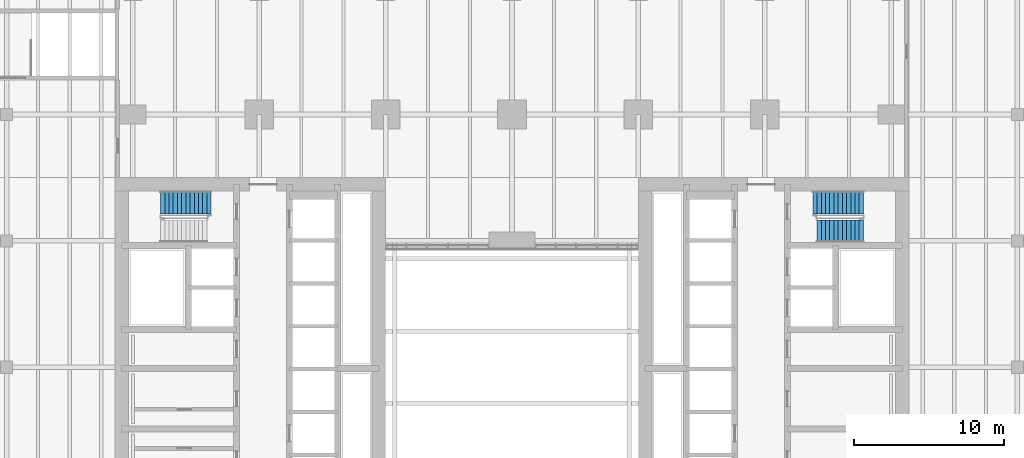
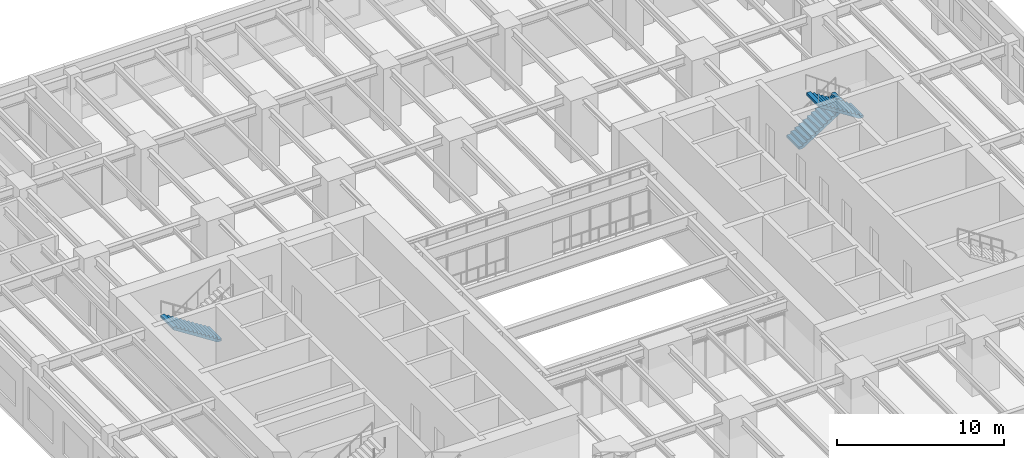
# One storey, part 15 of 22: 3 stair flights, 2 elements without a shape of their own.
"""IFC4 building model written with IfcOpenShell, lengths in metres."""

from ifc_helpers import new_model, si_unit, direction, frame, origin, place, context, subcontext, project, spatial, polyline, outline, extrude, material, type_object, element, aggregate, save


model = new_model("IFC4")

# Units and contexts
model_context = context("Model", 3, precision=1e-05, world=origin(), true_north=direction((0.0, 1.0)))
body_context = subcontext(model_context, "Body", "Model", "MODEL_VIEW")
ifc_project = project(units=[si_unit("LENGTHUNIT", "METRE"), si_unit("AREAUNIT", "SQUARE_METRE"), si_unit("VOLUMEUNIT", "CUBIC_METRE"), si_unit("PLANEANGLEUNIT", "RADIAN"), si_unit("MASSUNIT", "GRAM", prefix="KILO")], contexts=[model_context])

# Site, building, storey
site_placement = place(None, origin())
site = spatial("IfcSite", under=ifc_project, at=site_placement, CompositionType="ELEMENT")
building_placement = place(site_placement, origin())
building = spatial("IfcBuilding", under=site, at=building_placement, Name="Claustro Exchange Tower", CompositionType="ELEMENT")
storey_placement = place(building_placement, frame((0.0, 0.0, 14.39990234375)))
storey = spatial("IfcBuildingStorey", under=building, at=storey_placement, Name="L03", CompositionType="ELEMENT", Elevation=14.39990234375)

# Stair, stair flight
ifc_material_1 = material(Name="Concrete HA-30 (C30/37), precast", Category="concrete")
stair_type = type_object("IfcStairType", Name="ST2 half-turn stair, 25 risers of 180", PredefinedType="HALF_TURN_STAIR", material=ifc_material_1)
stair_1_placement = place(storey_placement, origin())
stair_1 = element("IfcStair", 1, at=stair_1_placement, inside=storey, type_object=stair_type, Name="Stair STEB L03", PredefinedType="HALF_TURN_STAIR")
ifc_material_2 = material(Name="Concrete HA-30 (C30/37), precast", Category="concrete")
stair_flight_type_1 = type_object("IfcStairFlightType", Name="SF12B straight flight, 12 risers of 180, 1500 wide", PredefinedType="STRAIGHT", material=ifc_material_2)
stair_flight_1_placement = place(storey_placement, frame((48.56005859375, 34.25, 2.340087890625), z_axis=(0.0, 0.0, 1.0), x_axis=(-1.0, 0.0, 0.0)))
stair_flight_1 = element("IfcStairFlight", 2, at=stair_flight_1_placement, type_object=stair_flight_type_1, Name="STEB flight 2", NumberOfRisers=12, NumberOfTreads=11, PredefinedType="STRAIGHT", RiserHeight=0.18, TreadLength=0.28, context=body_context, shape_type="SweptSolid", body=[
    extrude(outline(polyline([(0.0, 0.0), (0.0, 0.179931640625), (0.280029296875, 0.179931640625), (0.280029296875, 0.360107421875), (0.56005859375, 0.360107421875), (0.56005859375, 0.5400390625), (0.840087890625, 0.5400390625), (0.840087890625, 0.719970703125), (1.1201171875, 0.719970703125), (1.1201171875, 0.89990234375), (1.39990234375, 0.89990234375), (1.39990234375, 1.080078125), (1.679931640625, 1.080078125), (1.679931640625, 1.260009765625), (1.9599609375, 1.260009765625), (1.9599609375, 1.43994140625), (2.239990234375, 1.43994140625), (2.239990234375, 1.6201171875), (2.52001953125, 1.6201171875), (2.52001953125, 1.800048828125), (2.800048828125, 1.800048828125), (2.800048828125, 1.97998046875), (3.080078125, 1.97998046875), (3.080078125, 2.159912109375), (3.080078125, 1.8017578125), (0.277099609375, 0.0), (0.0, 0.0)])), frame((0.0, 0.75, 0.0), z_axis=(0.0, -1.0, 0.0), x_axis=(1.0, 0.0, 0.0)), (0.0, 0.0, 1.0), 1.5),
])

stair_2_placement = place(storey_placement, origin())
stair_2 = element("IfcStair", 3, at=stair_2_placement, inside=storey, type_object=stair_type, Name="Stair STWB L03", PredefinedType="HALF_TURN_STAIR")
ifc_material_3 = material(Name="Concrete HA-30 (C30/37), precast", Category="concrete")
stair_flight_type_2 = type_object("IfcStairFlightType", Name="SF13 straight flight, 13 risers of 180, 1500 wide", PredefinedType="STRAIGHT", material=ifc_material_3)
stair_flight_2_placement = place(storey_placement, frame((5.199951171875, 36.14990234375, 0.0), z_axis=(0.0, 0.0, 1.0), x_axis=(-1.0, 0.0, 0.0)))
stair_flight_2 = element("IfcStairFlight", 4, at=stair_flight_2_placement, type_object=stair_flight_type_2, Name="STWB flight 1", NumberOfRisers=13, NumberOfTreads=12, PredefinedType="STRAIGHT", RiserHeight=0.18, TreadLength=0.28, context=body_context, shape_type="SweptSolid", body=[
    extrude(outline(polyline([(0.0, 0.0), (0.0, 0.179931640625), (0.280029296875, 0.179931640625), (0.280029296875, 0.360107421875), (0.56005859375, 0.360107421875), (0.56005859375, 0.5400390625), (0.840087890625, 0.5400390625), (0.840087890625, 0.719970703125), (1.1201171875, 0.719970703125), (1.1201171875, 0.89990234375), (1.39990234375, 0.89990234375), (1.39990234375, 1.080078125), (1.679931640625, 1.080078125), (1.679931640625, 1.260009765625), (1.9599609375, 1.260009765625), (1.9599609375, 1.43994140625), (2.239990234375, 1.43994140625), (2.239990234375, 1.6201171875), (2.52001953125, 1.6201171875), (2.52001953125, 1.800048828125), (2.800048828125, 1.800048828125), (2.800048828125, 1.97998046875), (3.080078125, 1.97998046875), (3.080078125, 2.159912109375), (3.360107421875, 2.159912109375), (3.360107421875, 2.340087890625), (3.360107421875, 1.981689453125), (0.277099609375, 0.0), (0.0, 0.0)])), frame((0.0, 0.75, 0.0), z_axis=(0.0, -1.0, 0.0), x_axis=(1.0, 0.0, 0.0)), (0.0, 0.0, 1.0), 1.5),
])
aggregate(stair_2, [stair_flight_2])

# Stair flight
stair_flight_3_placement = place(storey_placement, frame((45.199951171875, 36.14990234375, 0.0), z_axis=(0.0, 0.0, 1.0), x_axis=(1.0, 0.0, 0.0)))
stair_flight_3 = element("IfcStairFlight", 5, at=stair_flight_3_placement, type_object=stair_flight_type_2, Name="STEB flight 1", NumberOfRisers=13, NumberOfTreads=12, PredefinedType="STRAIGHT", RiserHeight=0.18, TreadLength=0.28, context=body_context, shape_type="SweptSolid", body=[
    extrude(outline(polyline([(0.0, 0.0), (0.0, 0.179931640625), (0.280029296875, 0.179931640625), (0.280029296875, 0.360107421875), (0.56005859375, 0.360107421875), (0.56005859375, 0.5400390625), (0.840087890625, 0.5400390625), (0.840087890625, 0.719970703125), (1.1201171875, 0.719970703125), (1.1201171875, 0.89990234375), (1.39990234375, 0.89990234375), (1.39990234375, 1.080078125), (1.679931640625, 1.080078125), (1.679931640625, 1.260009765625), (1.9599609375, 1.260009765625), (1.9599609375, 1.43994140625), (2.239990234375, 1.43994140625), (2.239990234375, 1.6201171875), (2.52001953125, 1.6201171875), (2.52001953125, 1.800048828125), (2.800048828125, 1.800048828125), (2.800048828125, 1.97998046875), (3.080078125, 1.97998046875), (3.080078125, 2.159912109375), (3.360107421875, 2.159912109375), (3.360107421875, 2.340087890625), (3.360107421875, 1.981689453125), (0.277099609375, 0.0), (0.0, 0.0)])), frame((0.0, 0.75, 0.0), z_axis=(0.0, -1.0, 0.0), x_axis=(1.0, 0.0, 0.0)), (0.0, 0.0, 1.0), 1.5),
])

aggregate(stair_1, [stair_flight_3, stair_flight_1])

save(model, "model.ifc")
